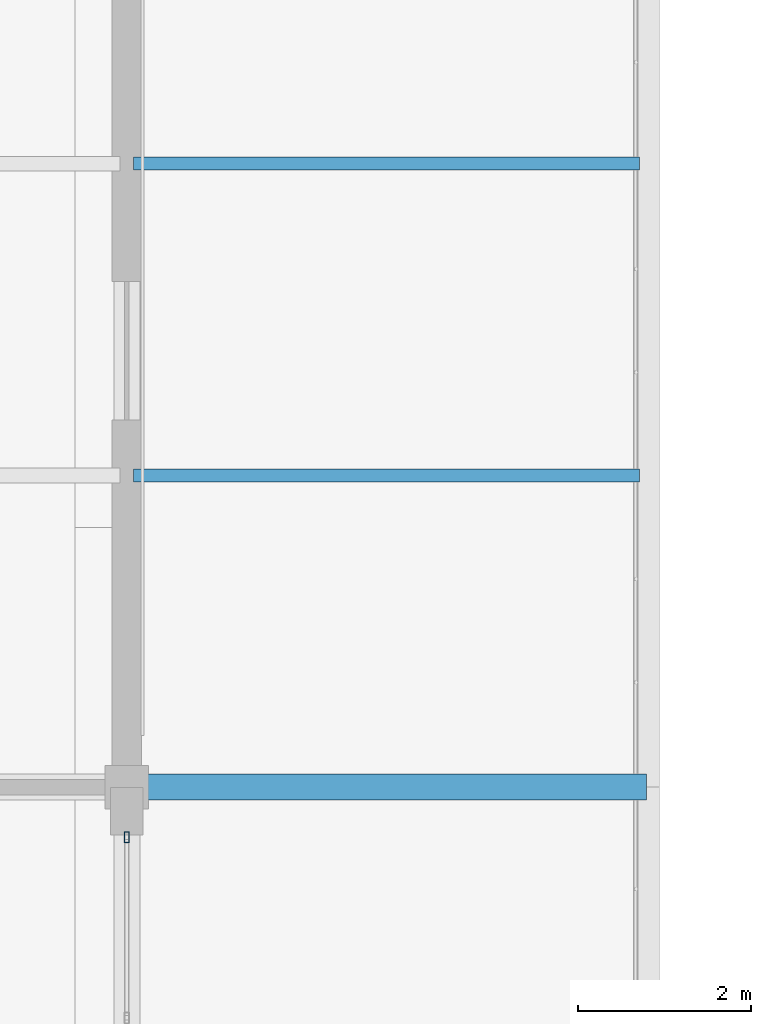
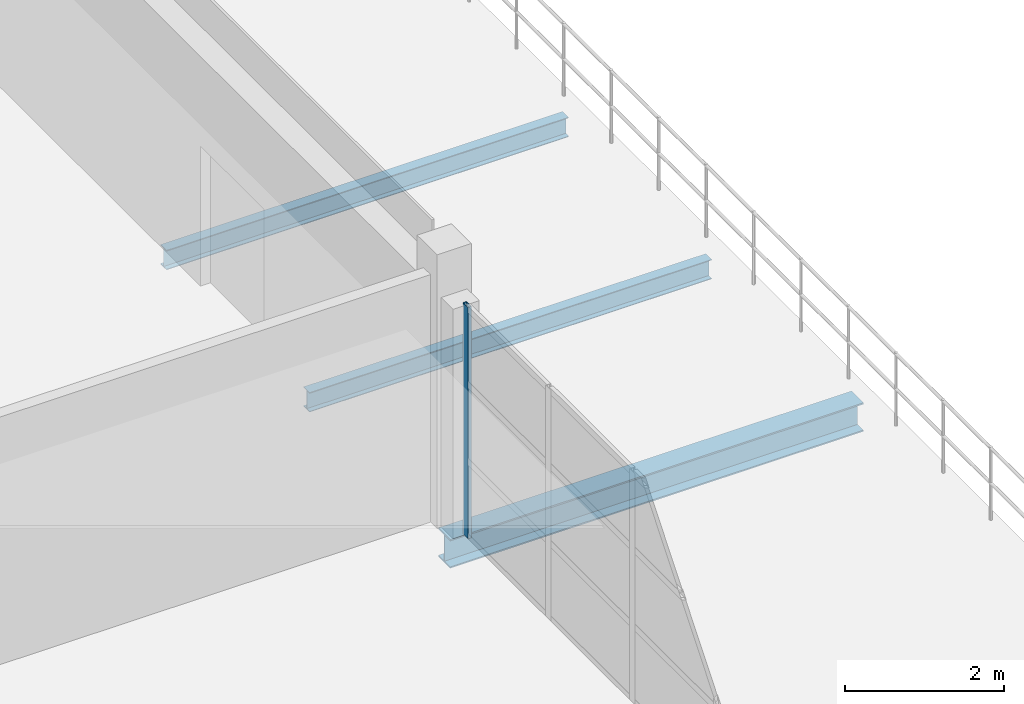
# One storey, part 6 of 11: 3 beams, 1 member, 1 element without a shape of its own.
"""IFC4 building model written with IfcOpenShell, lengths in metres."""

from ifc_helpers import new_model, si_unit, direction, frame, origin, origin_2d, place, context, subcontext, project, spatial, hollow_rectangle, i_section, extrude, material, layer, layer_set, material_profile, profile_set, type_object, element, aggregate, save


model = new_model("IFC4")

# Units and contexts
model_context = context("Model", 3, precision=1e-05, world=origin(), true_north=direction((0.0, 1.0)))
body_context = subcontext(model_context, "Body", "Model", "MODEL_VIEW")
ifc_project = project(units=[si_unit("LENGTHUNIT", "METRE"), si_unit("AREAUNIT", "SQUARE_METRE"), si_unit("VOLUMEUNIT", "CUBIC_METRE"), si_unit("PLANEANGLEUNIT", "RADIAN"), si_unit("MASSUNIT", "GRAM", prefix="KILO")], contexts=[model_context])

# Site, building, storey
site_placement = place(None, origin())
site = spatial("IfcSite", under=ifc_project, at=site_placement, CompositionType="ELEMENT")
building_placement = place(site_placement, origin())
building = spatial("IfcBuilding", under=site, at=building_placement, Name="Zilviju Railside Exhibition Hall", CompositionType="ELEMENT")
storey_placement = place(building_placement, frame((0.0, 0.0, 16.800048828125)))
storey = spatial("IfcBuildingStorey", under=building, at=storey_placement, Name="L05", CompositionType="ELEMENT", Elevation=16.800048828125)

# Beams
ifc_material_1 = material(Name="Steel S355J2", Category="steel")
ifc_material_profile_1 = material_profile(ifc_material_1, i_section(OverallWidth=0.300048828125, OverallDepth=0.43994140625, WebThickness=0.011474609375, FlangeThickness=0.02099609375, at=origin_2d()), Name="HEA 450")
ifc_profile_set_1 = profile_set([ifc_material_profile_1], Name="Steel S355J2")
beam_type_1 = type_object("IfcBeamType", Name="BM-HEA450", PredefinedType="BEAM", material=ifc_profile_set_1)
beam_placement = place(storey_placement, frame((36.0, 102.0, -0.5400390625), z_axis=(1.0, 0.0, 0.0), x_axis=(0.0, 1.0, 0.0)))
element("IfcBeam", 1, at=beam_placement, inside=storey, type_object=beam_type_1, Name="Primary Girder L05 Y=102.0 (36.0..42.0)", PredefinedType="BEAM", context=body_context, shape_type="SweptSolid", body=[
    extrude(i_section(OverallWidth=0.300048828125, OverallDepth=0.43994140625, WebThickness=0.011474609375, FlangeThickness=0.02099609375, at=origin_2d()), origin(), (0.0, 0.0, 1.0), 6.0),
])
ifc_material_profile_2 = material_profile(ifc_material_1, i_section(OverallWidth=0.14990234375, OverallDepth=0.300048828125, WebThickness=0.007080078125, FlangeThickness=0.0107421875, at=origin_2d()), Name="IPE 300")
ifc_profile_set_2 = profile_set([ifc_material_profile_2], Name="Steel S355J2")
beam_type_2 = type_object("IfcBeamType", Name="BM-IPE300", PredefinedType="JOIST", material=ifc_profile_set_2)
for number, where, z_axis, x_axis, name in (
    (2, (36.080078125, 105.60009765625, -0.469970703125), (1.0, 0.0, 0.0), (0.0, 1.0, 0.0), "Composite Floor Joist L05 Y=105.60 (36.0..42.0)"),
    (3, (36.080078125, 109.199951171875, -0.469970703125), (1.0, 0.0, 0.0), (0.0, 1.0, 0.0), "Composite Floor Joist L05 Y=109.20 (36.0..42.0)"),
):
    element("IfcBeam", number, at=place(storey_placement, frame(where, z_axis=z_axis, x_axis=x_axis)), inside=storey, type_object=beam_type_2, Name=name, PredefinedType="JOIST", context=body_context, shape_type="SweptSolid", body=[
        extrude(i_section(OverallWidth=0.14990234375, OverallDepth=0.300048828125, WebThickness=0.007080078125, FlangeThickness=0.0107421875, at=origin_2d()), origin(), (0.0, 0.0, 1.0), 5.83984375),
    ])

# Curtain wall, member
ifc_material_2 = material(Name="Thermally broken aluminium-steel triple-glazed curtain wall", Category="steel")
ifc_layer = layer(ifc_material_2, 0.179931640625)
ifc_layer_set = layer_set([ifc_layer], Name="Thermally broken aluminium-steel triple-glazed curtain wall")
curtain_wall_type = type_object("IfcCurtainWallType", Name="CW-BAY-08", PredefinedType="USERDEFINED", material=ifc_layer_set)
curtain_wall_placement = place(storey_placement, origin())
curtain_wall = element("IfcCurtainWall", 4, at=curtain_wall_placement, inside=storey, type_object=curtain_wall_type, Name="Directorate L05 Boardroom Curtain Wall", ObjectType="GLAZED CURTAIN WALL", PredefinedType="USERDEFINED")
ifc_material_3 = material(Name="Thermally broken anodized aluminium mullion", Category="aluminium")
ifc_material_profile_3 = material_profile(ifc_material_3, hollow_rectangle(XDim=0.054931640625, YDim=0.1298828125, WallThickness=0.0048828125, at=origin_2d()), Name="MULLION 130x55x5")
ifc_profile_set_3 = profile_set([ifc_material_profile_3], Name="Thermally broken anodized aluminium mullion")
member_type = type_object("IfcMemberType", Name="CWM-55x130", PredefinedType="MULLION", material=ifc_profile_set_3)
member_placement = place(storey_placement, frame((36.0, 101.422607421875, 0.0), z_axis=(0.0, 0.0, 1.0), x_axis=(1.0, 0.0, 0.0)))
member = element("IfcMember", 5, at=member_placement, type_object=member_type, Name="CW-08 mullion 1", PredefinedType="MULLION", context=body_context, shape_type="SweptSolid", body=[
    extrude(hollow_rectangle(XDim=0.054931640625, YDim=0.1298828125, WallThickness=0.0048828125, at=origin_2d()), origin(), (0.0, 0.0, 1.0), 3.550048828125),
])
aggregate(curtain_wall, [member])

save(model, "model.ifc")
